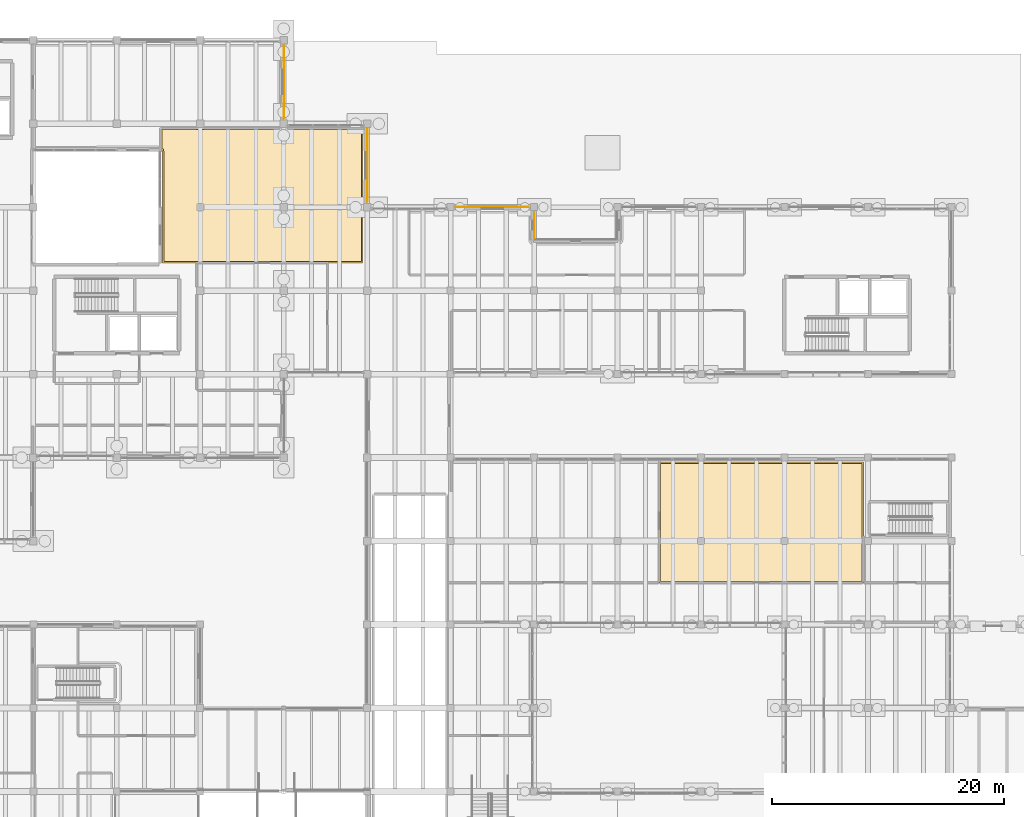
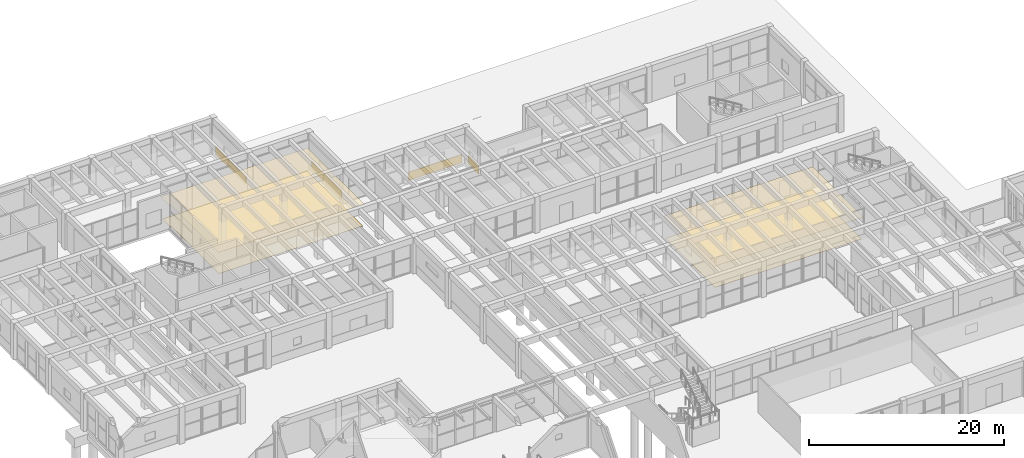
# One storey, part 151 of 155: 8 coverings.
"""IFC4 building model written with IfcOpenShell, lengths in metres."""

from ifc_helpers import new_model, si_unit, direction, frame, origin, origin_2d, place, context, subcontext, project, spatial, polyline, rectangle, outline, extrude, material, layer, layer_set, type_object, element, save


model = new_model("IFC4")

# Units and contexts
model_context = context("Model", 3, precision=1e-05, world=origin(), true_north=direction((0.0, 1.0)))
body_context = subcontext(model_context, "Body", "Model", "MODEL_VIEW")
ifc_project = project(units=[si_unit("LENGTHUNIT", "METRE"), si_unit("AREAUNIT", "SQUARE_METRE"), si_unit("VOLUMEUNIT", "CUBIC_METRE"), si_unit("PLANEANGLEUNIT", "RADIAN"), si_unit("MASSUNIT", "GRAM", prefix="KILO")], contexts=[model_context])

# Site, building, storey
site_placement = place(None, origin())
site = spatial("IfcSite", under=ifc_project, at=site_placement, CompositionType="ELEMENT")
building_placement = place(site_placement, origin())
building = spatial("IfcBuilding", under=site, at=building_placement, Name="Bramvelor Terrace Health Centre", CompositionType="ELEMENT")
storey_placement = place(building_placement, origin())
storey = spatial("IfcBuildingStorey", under=building, at=storey_placement, Name="L01", CompositionType="ELEMENT", Elevation=0.0)

# Coverings
ifc_material_1 = material(Name="Honed volcanic tuff rainscreen stone", Category="masonry")
ifc_layer_1 = layer(ifc_material_1, 0.0400390625)
ifc_layer_set_1 = layer_set([ifc_layer_1], Name="Honed volcanic tuff rainscreen stone")
covering_type_1 = type_object("IfcCoveringType", Name="COV-CLAD-TUF", PredefinedType="CLADDING", material=ifc_layer_set_1)
for number, where, z_axis, x_axis, name in (
    (1, (36.014892578125, 111.60009765625, 0.02490234375), (0.0, 0.0, 1.0), (1.0, 0.0, 0.0), "L01 Volcanic Tuff Rainscreen Spandrel 26"),
    (2, (43.215087890625, 104.39990234375, 0.02490234375), (0.0, 0.0, 1.0), (1.0, 0.0, 0.0), "L01 Volcanic Tuff Rainscreen Spandrel 27"),
):
    element("IfcCovering", number, at=place(storey_placement, frame(where, z_axis=z_axis, x_axis=x_axis)), inside=storey, type_object=covering_type_1, Name=name, PredefinedType="CLADDING", context=body_context, shape_type="SweptSolid", body=[
        extrude(rectangle(XDim=0.0400390625, YDim=6.260009765625, at=origin_2d()), origin(), (0.0, 0.0, 1.0), 1.050048828125),
    ])
covering_1_placement = place(storey_placement, frame((54.0, 100.81494140625, 0.02490234375), z_axis=(0.0, 0.0, 1.0), x_axis=(1.0, 0.0, 0.0)))
element("IfcCovering", 3, at=covering_1_placement, inside=storey, type_object=covering_type_1, Name="L01 Volcanic Tuff Rainscreen Spandrel 28", PredefinedType="CLADDING", context=body_context, shape_type="SweptSolid", body=[
    extrude(rectangle(XDim=6.31005859375, YDim=0.0400390625, at=origin_2d()), origin(), (0.0, 0.0, 1.0), 1.050048828125),
])
covering_2_placement = place(storey_placement, frame((57.6298828125, 99.242431640625, 0.02490234375), z_axis=(0.0, 0.0, 1.0), x_axis=(1.0, 0.0, 0.0)))
element("IfcCovering", 4, at=covering_2_placement, inside=storey, type_object=covering_type_1, Name="L01 Volcanic Tuff Rainscreen Spandrel 29", PredefinedType="CLADDING", context=body_context, shape_type="SweptSolid", body=[
    extrude(rectangle(XDim=0.0400390625, YDim=2.22509765625, at=origin_2d()), origin(), (0.0, 0.0, 1.0), 1.050048828125),
])
ifc_material_2 = material(Name="Hygienic mineral-fibre acoustic ceiling", Category="gypsum")
ifc_layer_2 = layer(ifc_material_2, 0.02001953125)
ifc_layer_set_2 = layer_set([ifc_layer_2], Name="Hygienic mineral-fibre acoustic ceiling")
covering_type_2 = type_object("IfcCoveringType", Name="COV-CLG-ACT", PredefinedType="CEILING", material=ifc_layer_set_2)
covering_3_placement = place(storey_placement, frame((0.0, 0.0, 2.75)))
element("IfcCovering", 5, at=covering_3_placement, inside=storey, type_object=covering_type_2, Name="L01 Walk-In Acute Observation Bay Acoustic Ceiling", PredefinedType="CEILING", context=body_context, shape_type="SweptSolid", body=[
    extrude(outline(polyline([(68.389892578125, 78.800048828125), (68.39013671875, 78.802001953125), (68.390380859375, 78.803955078125), (68.390869140625, 78.805908203125), (68.3916015625, 78.8076171875), (68.392333984375, 78.809326171875), (68.393310546875, 78.81103515625), (68.39453125, 78.812744140625), (68.39599609375, 78.814208984375), (68.397216796875, 78.8154296875), (68.39892578125, 78.816650390625), (68.400634765625, 78.817626953125), (68.40234375, 78.818603515625), (68.404296875, 78.819091796875), (68.406005859375, 78.819580078125), (68.407958984375, 78.81982421875), (68.409912109375, 78.820068359375), (85.989990234375, 78.820068359375), (85.991943359375, 78.81982421875), (85.993896484375, 78.819580078125), (85.995849609375, 78.819091796875), (85.997802734375, 78.818603515625), (85.99951171875, 78.817626953125), (86.001220703125, 78.816650390625), (86.002685546875, 78.8154296875), (86.004150390625, 78.814208984375), (86.005615234375, 78.812744140625), (86.006591796875, 78.81103515625), (86.007568359375, 78.809326171875), (86.008544921875, 78.8076171875), (86.009033203125, 78.805908203125), (86.009521484375, 78.803955078125), (86.010009765625, 78.802001953125), (86.010009765625, 78.800048828125), (86.010009765625, 68.409912109375), (86.010009765625, 68.407958984375), (86.009521484375, 68.406005859375), (86.009033203125, 68.404296875), (86.008544921875, 68.40234375), (86.007568359375, 68.400634765625), (86.006591796875, 68.39892578125), (86.005615234375, 68.397216796875), (86.004150390625, 68.39599609375), (86.002685546875, 68.39453125), (86.001220703125, 68.393310546875), (85.99951171875, 68.392333984375), (85.997802734375, 68.3916015625), (85.995849609375, 68.390869140625), (85.993896484375, 68.390380859375), (85.991943359375, 68.39013671875), (85.989990234375, 68.389892578125), (68.409912109375, 68.389892578125), (68.407958984375, 68.39013671875), (68.406005859375, 68.390380859375), (68.404296875, 68.390869140625), (68.40234375, 68.3916015625), (68.400634765625, 68.392333984375), (68.39892578125, 68.393310546875), (68.397216796875, 68.39453125), (68.39599609375, 68.39599609375), (68.39453125, 68.397216796875), (68.393310546875, 68.39892578125), (68.392333984375, 68.400634765625), (68.3916015625, 68.40234375), (68.390869140625, 68.404296875), (68.390380859375, 68.406005859375), (68.39013671875, 68.407958984375), (68.389892578125, 68.409912109375), (68.389892578125, 78.800048828125)])), origin(), (0.0, 0.0, 1.0), 0.02001953125),
])
covering_4_placement = place(storey_placement, frame((0.0, 0.0, 2.75)))
element("IfcCovering", 6, at=covering_4_placement, inside=storey, type_object=covering_type_2, Name="L01 Paediatric Well-Child Clinic Acoustic Ceiling", PredefinedType="CEILING", context=body_context, shape_type="SweptSolid", body=[
    extrude(outline(polyline([(42.800048828125, 107.6201171875), (42.802001953125, 107.619873046875), (42.803955078125, 107.61962890625), (42.805908203125, 107.619140625), (42.8076171875, 107.618408203125), (42.809326171875, 107.61767578125), (42.81103515625, 107.61669921875), (42.812744140625, 107.615478515625), (42.814208984375, 107.614013671875), (42.8154296875, 107.61279296875), (42.816650390625, 107.611083984375), (42.817626953125, 107.609375), (42.818603515625, 107.607666015625), (42.819091796875, 107.605712890625), (42.819580078125, 107.60400390625), (42.81982421875, 107.60205078125), (42.820068359375, 107.60009765625), (42.820068359375, 96.010009765625), (42.81982421875, 96.008056640625), (42.819580078125, 96.006103515625), (42.819091796875, 96.004150390625), (42.818603515625, 96.002197265625), (42.817626953125, 96.00048828125), (42.816650390625, 95.998779296875), (42.8154296875, 95.997314453125), (42.814208984375, 95.995849609375), (42.812744140625, 95.994384765625), (42.81103515625, 95.993408203125), (42.809326171875, 95.992431640625), (42.8076171875, 95.991455078125), (42.805908203125, 95.990966796875), (42.803955078125, 95.990478515625), (42.802001953125, 95.989990234375), (42.800048828125, 95.989990234375), (25.56005859375, 95.989990234375), (25.55810546875, 95.989990234375), (25.55615234375, 95.990478515625), (25.55419921875, 95.990966796875), (25.55224609375, 95.991455078125), (25.550537109375, 95.992431640625), (25.548828125, 95.993408203125), (25.54736328125, 95.994384765625), (25.5458984375, 95.995849609375), (25.54443359375, 95.997314453125), (25.54345703125, 95.998779296875), (25.54248046875, 96.00048828125), (25.54150390625, 96.002197265625), (25.541015625, 96.004150390625), (25.540283203125, 96.006103515625), (25.5400390625, 96.008056640625), (25.5400390625, 96.010009765625), (25.5400390625, 105.597412109375), (25.499267578125, 105.760009765625), (25.38525390625, 105.885986328125), (25.384033203125, 105.88720703125), (25.383056640625, 105.888916015625), (25.382080078125, 105.890380859375), (25.38134765625, 105.89208984375), (25.380859375, 105.893798828125), (25.38037109375, 105.895751953125), (25.380126953125, 105.8974609375), (25.3798828125, 105.8994140625), (25.3798828125, 107.60009765625), (25.380126953125, 107.60205078125), (25.38037109375, 107.60400390625), (25.380859375, 107.605712890625), (25.381591796875, 107.607666015625), (25.38232421875, 107.609375), (25.38330078125, 107.611083984375), (25.384521484375, 107.61279296875), (25.385986328125, 107.614013671875), (25.38720703125, 107.615478515625), (25.388916015625, 107.61669921875), (25.390625, 107.61767578125), (25.392333984375, 107.618408203125), (25.394287109375, 107.619140625), (25.39599609375, 107.61962890625), (25.39794921875, 107.619873046875), (25.39990234375, 107.6201171875), (42.800048828125, 107.6201171875)])), origin(), (0.0, 0.0, 1.0), 0.02001953125),
])
ifc_material_3 = material(Name="Seamless antimicrobial clinical vinyl", Category="polymer")
ifc_layer_3 = layer(ifc_material_3, 0.008056640625)
ifc_layer_set_3 = layer_set([ifc_layer_3], Name="Seamless antimicrobial clinical vinyl")
covering_type_3 = type_object("IfcCoveringType", Name="COV-FLR-VNL", PredefinedType="FLOORING", material=ifc_layer_set_3)
covering_5_placement = place(storey_placement, origin())
element("IfcCovering", 7, at=covering_5_placement, inside=storey, type_object=covering_type_3, Name="L01 Walk-In Acute Observation Bay Clinical Vinyl Flooring", PredefinedType="FLOORING", context=body_context, shape_type="SweptSolid", body=[
    extrude(outline(polyline([(68.510009765625, 78.699951171875), (85.889892578125, 78.699951171875), (85.889892578125, 68.510009765625), (68.510009765625, 68.510009765625), (68.510009765625, 78.699951171875)])), origin(), (0.0, 0.0, 1.0), 0.008056640625),
])
covering_6_placement = place(storey_placement, origin())
element("IfcCovering", 8, at=covering_6_placement, inside=storey, type_object=covering_type_3, Name="L01 Paediatric Well-Child Clinic Clinical Vinyl Flooring", PredefinedType="FLOORING", context=body_context, shape_type="SweptSolid", body=[
    extrude(outline(polyline([(42.699951171875, 107.5), (42.699951171875, 96.110107421875), (25.659912109375, 96.110107421875), (25.659912109375, 105.60009765625), (25.6591796875, 105.6123046875), (25.656982421875, 105.624267578125), (25.614501953125, 105.7939453125), (25.611572265625, 105.803466796875), (25.60791015625, 105.8125), (25.603271484375, 105.821044921875), (25.597900390625, 105.829345703125), (25.591552734375, 105.8369140625), (25.5, 105.93798828125), (25.5, 107.5), (42.699951171875, 107.5)])), origin(), (0.0, 0.0, 1.0), 0.008056640625),
])

save(model, "model.ifc")
